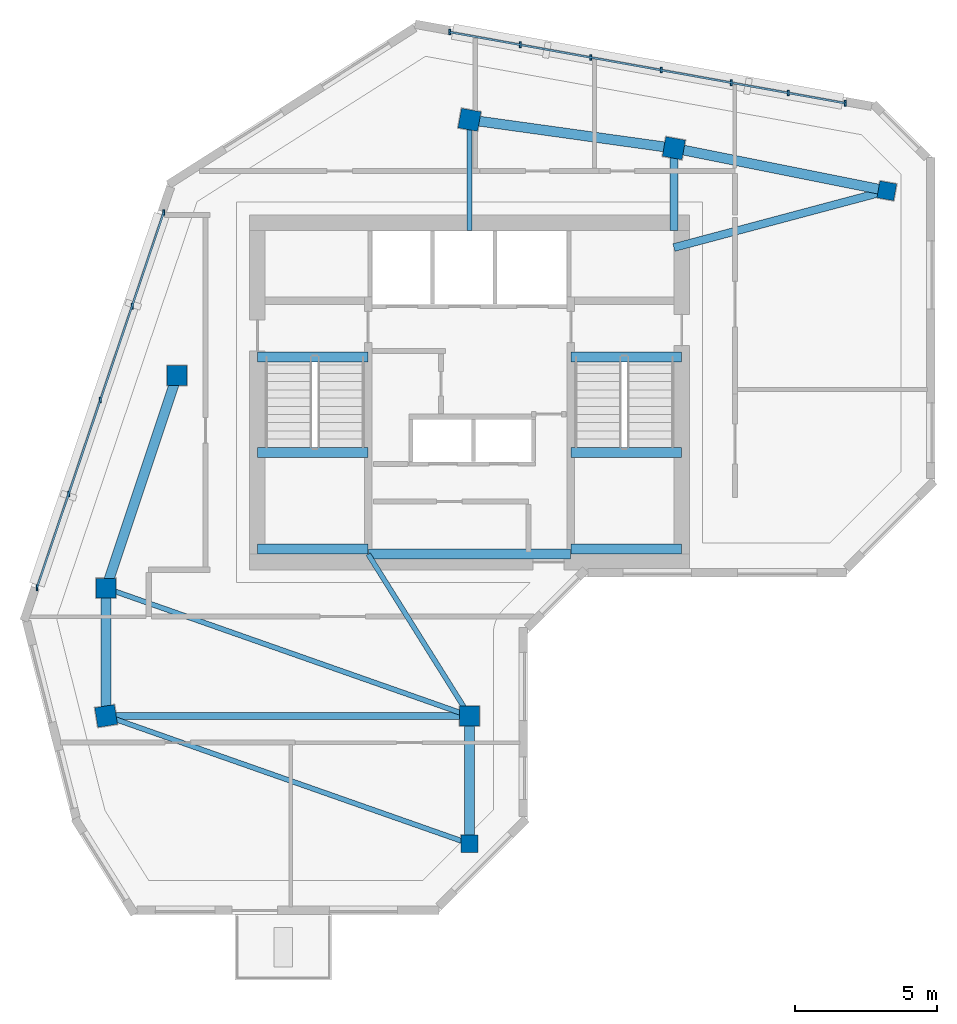
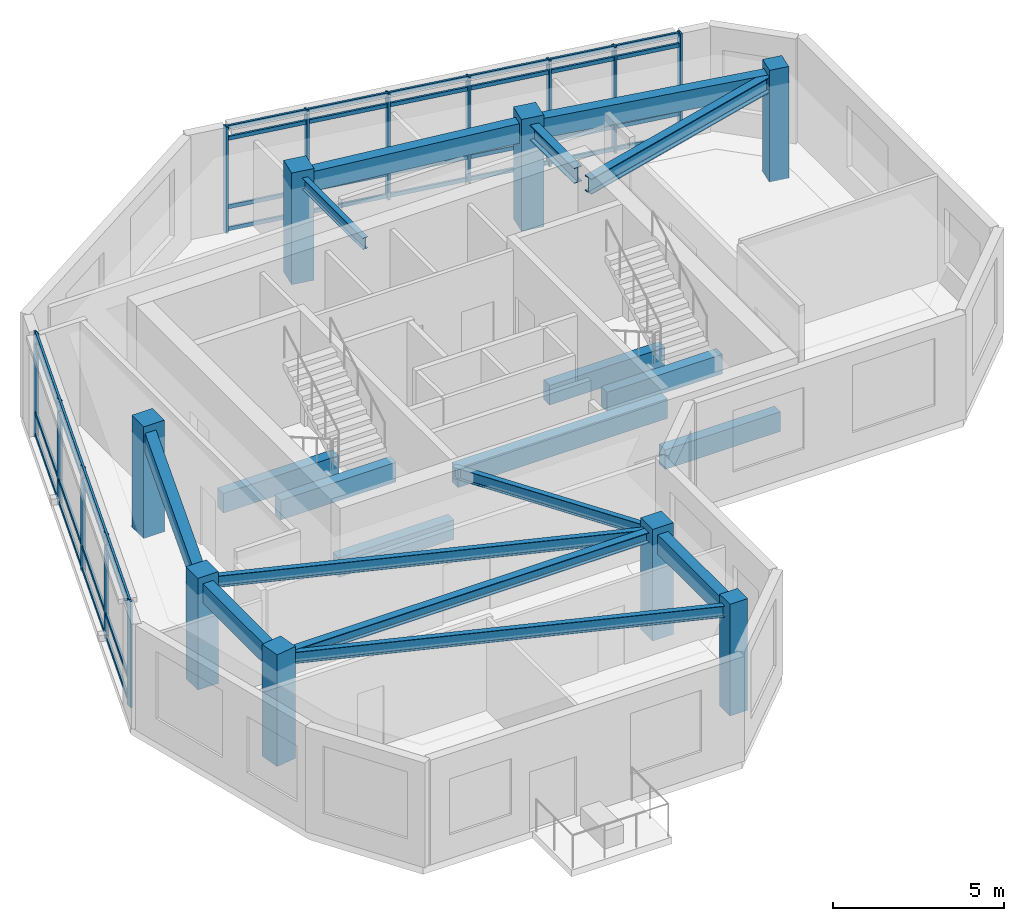
# One storey, part 1 of 8: 20 members, 19 beams, 8 columns, 2 elements without a shape of their own.
"""IFC4 building model written with IfcOpenShell, lengths in metres."""

from ifc_helpers import new_model, si_unit, direction, frame, origin, origin_2d, place, context, subcontext, project, spatial, rectangle, i_section, extrude, source, transform, mapped, material, material_profile, profile_set, type_object, element, aggregate, save


model = new_model("IFC4")

# Units and contexts
model_context = context("Model", 3, precision=1e-05, world=origin(), true_north=direction((0.0, 1.0)))
body_context = subcontext(model_context, "Body", "Model", "MODEL_VIEW")
ifc_project = project(units=[si_unit("LENGTHUNIT", "METRE"), si_unit("AREAUNIT", "SQUARE_METRE"), si_unit("VOLUMEUNIT", "CUBIC_METRE"), si_unit("PLANEANGLEUNIT", "RADIAN"), si_unit("MASSUNIT", "GRAM", prefix="KILO")], contexts=[model_context])

# Site, building, storey
site_placement = place(None, origin())
site = spatial("IfcSite", under=ifc_project, at=site_placement, CompositionType="ELEMENT")
building_placement = place(site_placement, origin())
building = spatial("IfcBuilding", under=site, at=building_placement, Name="Calvemar Wedge Station Tower", CompositionType="ELEMENT")
storey_placement = place(building_placement, frame((0.0, 0.0, 292.5)))
storey = spatial("IfcBuildingStorey", under=building, at=storey_placement, Name="L75", CompositionType="ELEMENT", Elevation=292.5)

# Columns
ifc_material_1 = material(Name="Concrete C50", Category="concrete")
ifc_material_profile_1 = material_profile(ifc_material_1, rectangle(XDim=0.699951171875, YDim=0.699951171875, at=origin_2d()), Name="RC700x700")
ifc_profile_set_1 = profile_set([ifc_material_profile_1], Name="Concrete C50")
column_type_1 = type_object("IfcColumnType", Name="COL-C7-700", PredefinedType="COLUMN", material=ifc_profile_set_1)
shared_shape_1 = source(origin(), body_context, "Body", "SweptSolid", [
    extrude(rectangle(XDim=0.699951171875, YDim=0.699951171875, at=origin_2d()), origin(), (0.0, 0.0, 1.0), 4.0),
])
for number, where, z_axis, x_axis, name in (
    (1, (11.0, 33.0, 0.0), (0.0, 0.0, 1.0), (1.0, 0.0, 0.0), "Storey L75 Column T-NW1"),
    (2, (13.5, 40.5, 0.0), (0.0, 0.0, 1.0), (1.0, 0.0, 0.0), "Storey L75 Column T-NW2"),
    (3, (23.800048828125, 49.5, 0.0), (0.0, 0.0, 1.0), (0.984195607969, -0.17708474032, 0.0), "Storey L75 Column T-N1"),
    (4, (31.0, 48.5, 0.0), (0.0, 0.0, 1.0), (0.984195607969, -0.17708474032, 0.0), "Storey L75 Column T-N2"),
    (5, (11.0, 28.5, 0.0), (0.0, 0.0, 1.0), (0.158158067254, -0.987413806751, 0.0), "Storey L75 Column T-SW1"),
    (6, (23.800048828125, 28.5, 0.0), (0.0, 0.0, 1.0), (1.0, 0.0, 0.0), "Storey L75 Column T-SE1"),
):
    element("IfcColumn", number, at=place(storey_placement, frame(where, z_axis=z_axis, x_axis=x_axis)), inside=storey, type_object=column_type_1, Name=name, PredefinedType="COLUMN", context=body_context, shape_type="MappedRepresentation", body=[
        mapped(shared_shape_1, transform((0.0, 0.0, 0.0), scale=1.0)),
    ])
ifc_material_profile_2 = material_profile(ifc_material_1, rectangle(XDim=0.60009765625, YDim=0.60009765625, at=origin_2d()), Name="RC600x600")
ifc_profile_set_2 = profile_set([ifc_material_profile_2], Name="Concrete C50")
column_type_2 = type_object("IfcColumnType", Name="COL-C8-600", PredefinedType="COLUMN", material=ifc_profile_set_2)
shared_shape_2 = source(origin(), body_context, "Body", "SweptSolid", [
    extrude(rectangle(XDim=0.60009765625, YDim=0.60009765625, at=origin_2d()), origin(), (0.0, 0.0, 1.0), 4.0),
])
for number, where, z_axis, x_axis, name in (
    (7, (38.5, 47.0, 0.0), (0.0, 0.0, 1.0), (0.984195607969, -0.17708474032, 0.0), "Storey L75 Column T-NU3"),
    (8, (23.800048828125, 24.0, 0.0), (0.0, 0.0, 1.0), (1.0, 0.0, 0.0), "Storey L75 Column T-SE2"),
):
    element("IfcColumn", number, at=place(storey_placement, frame(where, z_axis=z_axis, x_axis=x_axis)), inside=storey, type_object=column_type_2, Name=name, PredefinedType="COLUMN", context=body_context, shape_type="MappedRepresentation", body=[
        mapped(shared_shape_2, transform((0.0, 0.0, 0.0), scale=1.0)),
    ])

# Beams
ifc_material_2 = material(Name="Structural steel ASTM A572 Grade 50", Category="steel")
ifc_material_profile_3 = material_profile(ifc_material_2, i_section(OverallWidth=0.177978515625, OverallDepth=0.406982421875, WebThickness=0.0078125, FlangeThickness=0.0126953125, FilletRadius=0.010009765625, at=origin_2d()), Name="W410x60")
ifc_profile_set_3 = profile_set([ifc_material_profile_3], Name="Structural steel ASTM A572 Grade 50")
beam_type_1 = type_object("IfcBeamType", Name="BM-J3-W410", PredefinedType="JOIST", material=ifc_profile_set_3)
shared_shape_3 = source(origin(), body_context, "Body", "SweptSolid", [
    extrude(i_section(OverallWidth=0.177978515625, OverallDepth=0.406982421875, WebThickness=0.0078125, FlangeThickness=0.0126953125, FilletRadius=0.010009765625, at=origin_2d()), origin(), (0.0, 0.0, 1.0), 13.568115234375),
])
for number, where, z_axis, x_axis, name in (
    (9, (11.0, 33.0, 3.54638671875), (0.943398221169, -0.331662171939, 0.0), (0.331662171939, 0.943398221169, 0.0), "Storey L75 Floor Beam T-NW1-T-SE1"),
    (10, (11.0, 28.5, 3.54638671875), (0.943398221169, -0.331662171939, 0.0), (0.331662171939, 0.943398221169, 0.0), "Storey L75 Floor Beam T-SW1-T-SE2"),
):
    element("IfcBeam", number, at=place(storey_placement, frame(where, z_axis=z_axis, x_axis=x_axis)), inside=storey, type_object=beam_type_1, Name=name, PredefinedType="JOIST", context=body_context, shape_type="MappedRepresentation", body=[
        mapped(shared_shape_3, transform((0.0, 0.0, 0.0), scale=1.0)),
    ])
ifc_material_profile_4 = material_profile(ifc_material_2, i_section(OverallWidth=0.279052734375, OverallDepth=0.553955078125, WebThickness=0.017578125, FlangeThickness=0.029541015625, FilletRadius=0.014892578125, at=origin_2d()), Name="W530x196")
ifc_profile_set_4 = profile_set([ifc_material_profile_4], Name="Structural steel ASTM A572 Grade 50")
beam_type_2 = type_object("IfcBeamType", Name="BM-SB3-W530H", PredefinedType="BEAM", material=ifc_profile_set_4)
shared_shape_4 = source(origin(), body_context, "Body", "SweptSolid", [
    extrude(i_section(OverallWidth=0.279052734375, OverallDepth=0.553955078125, WebThickness=0.017578125, FlangeThickness=0.029541015625, FilletRadius=0.014892578125, at=origin_2d()), origin(), (0.0, 0.0, 1.0), 7.76220703125),
])
beam_1_placement = place(storey_placement, frame((31.0, 45.0, 3.472900390625), z_axis=(0.966234939601, 0.25766265056, 0.0), x_axis=(-0.25766265056, 0.966234939601, 0.0)))
element("IfcBeam", 11, at=beam_1_placement, inside=storey, type_object=beam_type_2, Name="Storey L75 Core-to-Column Joist CJ-E2", PredefinedType="BEAM", context=body_context, shape_type="MappedRepresentation", body=[
    mapped(shared_shape_4, transform((0.0, 0.0, 0.0), scale=1.0)),
])
shared_shape_5 = source(origin(), body_context, "Body", "SweptSolid", [
    extrude(i_section(OverallWidth=0.177978515625, OverallDepth=0.406982421875, WebThickness=0.0078125, FlangeThickness=0.0126953125, FilletRadius=0.010009765625, at=origin_2d()), origin(), (0.0, 0.0, 1.0), 3.89990234375),
])
beam_2_placement = place(storey_placement, frame((23.800048828125, 45.60009765625, 3.54638671875), z_axis=(0.0, 1.0, 0.0), x_axis=(-1.0, 0.0, 0.0)))
element("IfcBeam", 12, at=beam_2_placement, inside=storey, type_object=beam_type_1, Name="Storey L75 Core-to-Column Joist CJ-N1", PredefinedType="JOIST", context=body_context, shape_type="MappedRepresentation", body=[
    mapped(shared_shape_5, transform((0.0, 0.0, 0.0), scale=1.0)),
])
shared_shape_6 = source(origin(), body_context, "Body", "SweptSolid", [
    extrude(i_section(OverallWidth=0.279052734375, OverallDepth=0.553955078125, WebThickness=0.017578125, FlangeThickness=0.029541015625, FilletRadius=0.014892578125, at=origin_2d()), origin(), (0.0, 0.0, 1.0), 2.89990234375),
])
beam_3_placement = place(storey_placement, frame((31.0, 45.60009765625, 3.472900390625), z_axis=(0.0, 1.0, 0.0), x_axis=(-1.0, 0.0, 0.0)))
element("IfcBeam", 13, at=beam_3_placement, inside=storey, type_object=beam_type_2, Name="Storey L75 Core-to-Column Joist CJ-N2", PredefinedType="BEAM", context=body_context, shape_type="MappedRepresentation", body=[
    mapped(shared_shape_6, transform((0.0, 0.0, 0.0), scale=1.0)),
])
shared_shape_7 = source(origin(), body_context, "Body", "SweptSolid", [
    extrude(i_section(OverallWidth=0.177978515625, OverallDepth=0.406982421875, WebThickness=0.0078125, FlangeThickness=0.0126953125, FilletRadius=0.010009765625, at=origin_2d()), origin(), (0.0, 0.0, 1.0), 6.7255859375),
])
beam_4_placement = place(storey_placement, frame((20.22998046875, 34.199951171875, 3.54638671875), z_axis=(0.530811158438, -0.847490126242, 0.0), x_axis=(0.847490126242, 0.530811158438, 0.0)))
element("IfcBeam", 14, at=beam_4_placement, inside=storey, type_object=beam_type_1, Name="Storey L75 Core-to-Column Joist CJ-S2", PredefinedType="JOIST", context=body_context, shape_type="MappedRepresentation", body=[
    mapped(shared_shape_7, transform((0.0, 0.0, 0.0), scale=1.0)),
])
ifc_material_3 = material(Name="Concrete C70", Category="concrete")
ifc_material_profile_5 = material_profile(ifc_material_3, rectangle(XDim=0.35009765625, YDim=0.699951171875, at=origin_2d()), Name="RC350x700")
ifc_profile_set_5 = profile_set([ifc_material_profile_5], Name="Concrete C70")
beam_type_3 = type_object("IfcBeamType", Name="BM-LN1-700", PredefinedType="LINTEL", material=ifc_profile_set_5)
shared_shape_8 = source(origin(), body_context, "Body", "SweptSolid", [
    extrude(rectangle(XDim=0.35009765625, YDim=0.699951171875, at=origin_2d()), origin(), (0.0, 0.0, 1.0), 7.10009765625),
])
beam_5_placement = place(storey_placement, frame((20.25, 34.199951171875, 3.39990234375), z_axis=(1.0, 0.0, 0.0), x_axis=(0.0, 1.0, 0.0)))
element("IfcBeam", 15, at=beam_5_placement, inside=storey, type_object=beam_type_3, Name="Storey L75 Core Coupling Lintel South", PredefinedType="LINTEL", context=body_context, shape_type="MappedRepresentation", body=[
    mapped(shared_shape_8, transform((0.0, 0.0, 0.0), scale=1.0)),
])
ifc_material_profile_6 = material_profile(ifc_material_1, rectangle(XDim=0.35009765625, YDim=0.699951171875, at=origin_2d()), Name="RC350x700")
ifc_profile_set_6 = profile_set([ifc_material_profile_6], Name="Concrete C50")
beam_type_4 = type_object("IfcBeamType", Name="BM-SP2-700", PredefinedType="SPANDREL", material=ifc_profile_set_6)
shared_shape_9 = source(origin(), body_context, "Body", "SweptSolid", [
    extrude(rectangle(XDim=0.35009765625, YDim=0.699951171875, at=origin_2d()), origin(), (0.0, 0.0, 1.0), 7.90576171875),
])
beam_6_placement = place(storey_placement, frame((11.0, 33.0, 3.39990234375), z_axis=(0.316227766017, 0.948683298051, 0.0), x_axis=(-0.948683298051, 0.316227766017, 0.0)))
element("IfcBeam", 16, at=beam_6_placement, inside=storey, type_object=beam_type_4, Name="Storey L75 Spandrel T-NW1-T-NW2", PredefinedType="SPANDREL", context=body_context, shape_type="MappedRepresentation", body=[
    mapped(shared_shape_9, transform((0.0, 0.0, 0.0), scale=1.0)),
])
shared_shape_10 = source(origin(), body_context, "Body", "SweptSolid", [
    extrude(rectangle(XDim=0.35009765625, YDim=0.699951171875, at=origin_2d()), origin(), (0.0, 0.0, 1.0), 7.26904296875),
])
beam_7_placement = place(storey_placement, frame((23.800048828125, 49.5, 3.39990234375), z_axis=(0.990492146053, -0.13756928657, 0.0), x_axis=(0.13756928657, 0.990492146053, 0.0)))
element("IfcBeam", 17, at=beam_7_placement, inside=storey, type_object=beam_type_4, Name="Storey L75 Spandrel T-N1-T-N2", PredefinedType="SPANDREL", context=body_context, shape_type="MappedRepresentation", body=[
    mapped(shared_shape_10, transform((0.0, 0.0, 0.0), scale=1.0)),
])
shared_shape_11 = source(origin(), body_context, "Body", "SweptSolid", [
    extrude(rectangle(XDim=0.35009765625, YDim=0.699951171875, at=origin_2d()), origin(), (0.0, 0.0, 1.0), 7.6484375),
])
beam_8_placement = place(storey_placement, frame((31.0, 48.5, 3.39990234375), z_axis=(0.980580675691, -0.196116135138, 0.0), x_axis=(0.196116135138, 0.980580675691, 0.0)))
element("IfcBeam", 18, at=beam_8_placement, inside=storey, type_object=beam_type_4, Name="Storey L75 Spandrel T-N2-T-NU3", PredefinedType="SPANDREL", context=body_context, shape_type="MappedRepresentation", body=[
    mapped(shared_shape_11, transform((0.0, 0.0, 0.0), scale=1.0)),
])
shared_shape_12 = source(origin(), body_context, "Body", "SweptSolid", [
    extrude(rectangle(XDim=0.35009765625, YDim=0.699951171875, at=origin_2d()), origin(), (0.0, 0.0, 1.0), 4.5),
])
for number, where, z_axis, x_axis, name in (
    (19, (11.0, 33.0, 3.39990234375), (0.0, -1.0, 0.0), (1.0, 0.0, 0.0), "Storey L75 Spandrel T-NW1-T-SW1"),
    (20, (23.800048828125, 28.5, 3.39990234375), (0.0, -1.0, 0.0), (1.0, 0.0, 0.0), "Storey L75 Spandrel T-SE1-T-SE2"),
):
    element("IfcBeam", number, at=place(storey_placement, frame(where, z_axis=z_axis, x_axis=x_axis)), inside=storey, type_object=beam_type_4, Name=name, PredefinedType="SPANDREL", context=body_context, shape_type="MappedRepresentation", body=[
        mapped(shared_shape_12, transform((0.0, 0.0, 0.0), scale=1.0)),
    ])
shared_shape_13 = source(origin(), body_context, "Body", "SweptSolid", [
    extrude(rectangle(XDim=0.35009765625, YDim=0.699951171875, at=origin_2d()), origin(), (0.0, 0.0, 1.0), 3.905029296875),
])
for number, where, z_axis, x_axis, name in (
    (21, (16.324951171875, 41.14990234375, -0.35009765625), (1.0, 0.0, 0.0), (0.0, 1.0, 0.0), "Storey L75 Stair ST-C1 Landing Trimmer Beam"),
    (22, (16.324951171875, 34.3798828125, 1.449951171875), (1.0, 0.0, 0.0), (0.0, 1.0, 0.0), "Storey L75 Stair ST-C1 Half-Landing Beam 1A"),
    (23, (16.324951171875, 37.780029296875, 1.449951171875), (1.0, 0.0, 0.0), (0.0, 1.0, 0.0), "Storey L75 Stair ST-C1 Half-Landing Beam 1B"),
):
    element("IfcBeam", number, at=place(storey_placement, frame(where, z_axis=z_axis, x_axis=x_axis)), inside=storey, type_object=beam_type_3, Name=name, PredefinedType="LINTEL", context=body_context, shape_type="MappedRepresentation", body=[
        mapped(shared_shape_13, transform((0.0, 0.0, 0.0), scale=1.0)),
    ])
shared_shape_14 = source(origin(), body_context, "Body", "SweptSolid", [
    extrude(rectangle(XDim=0.35009765625, YDim=0.699951171875, at=origin_2d()), origin(), (0.0, 0.0, 1.0), 3.90478515625),
])
for number, where, z_axis, x_axis, name in (
    (24, (27.3701171875, 41.14990234375, -0.35009765625), (1.0, 0.0, 0.0), (0.0, 1.0, 0.0), "Storey L75 Stair ST-C2 Landing Trimmer Beam"),
    (25, (27.3701171875, 34.3798828125, 1.449951171875), (1.0, 0.0, 0.0), (0.0, 1.0, 0.0), "Storey L75 Stair ST-C2 Half-Landing Beam 1A"),
    (26, (27.3701171875, 37.780029296875, 1.449951171875), (1.0, 0.0, 0.0), (0.0, 1.0, 0.0), "Storey L75 Stair ST-C2 Half-Landing Beam 1B"),
):
    element("IfcBeam", number, at=place(storey_placement, frame(where, z_axis=z_axis, x_axis=x_axis)), inside=storey, type_object=beam_type_3, Name=name, PredefinedType="LINTEL", context=body_context, shape_type="MappedRepresentation", body=[
        mapped(shared_shape_14, transform((0.0, 0.0, 0.0), scale=1.0)),
    ])
ifc_material_profile_7 = material_profile(ifc_material_2, i_section(OverallWidth=0.257080078125, OverallDepth=0.363037109375, WebThickness=0.012939453125, FlangeThickness=0.021728515625, FilletRadius=0.014892578125, at=origin_2d()), Name="W360x122")
ifc_profile_set_7 = profile_set([ifc_material_profile_7], Name="Structural steel ASTM A572 Grade 50")
beam_type_5 = type_object("IfcBeamType", Name="BM-J4-W360", PredefinedType="JOIST", material=ifc_profile_set_7)
shared_shape_15 = source(origin(), body_context, "Body", "SweptSolid", [
    extrude(i_section(OverallWidth=0.257080078125, OverallDepth=0.363037109375, WebThickness=0.012939453125, FlangeThickness=0.021728515625, FilletRadius=0.014892578125, at=origin_2d()), origin(), (0.0, 0.0, 1.0), 12.800048828125),
])
beam_9_placement = place(storey_placement, frame((11.0, 28.5, 3.568603515625), z_axis=(1.0, 0.0, 0.0), x_axis=(0.0, 1.0, 0.0)))
element("IfcBeam", 27, at=beam_9_placement, inside=storey, type_object=beam_type_5, Name="Storey L75 Floor Beam T-SW1-T-SE1", PredefinedType="JOIST", context=body_context, shape_type="MappedRepresentation", body=[
    mapped(shared_shape_15, transform((0.0, 0.0, 0.0), scale=1.0)),
])

# Curtain wall, members
ifc_material_4 = material(Name="Anodised aluminium 6063-T6", Category="aluminium")
curtain_wall_type = type_object("IfcCurtainWallType", Name="CW4", PredefinedType="NOTDEFINED", material=ifc_material_4)
curtain_wall_1_placement = place(storey_placement, origin())
curtain_wall_1 = element("IfcCurtainWall", 28, at=curtain_wall_1_placement, inside=storey, type_object=curtain_wall_type, Name="Storey L75 CW4 Recessed Unitised Curtain Wall 10", PredefinedType="NOTDEFINED")
ifc_material_profile_8 = material_profile(ifc_material_4, rectangle(XDim=0.070068359375, YDim=0.139892578125, at=origin_2d()), Name="AL-TRN-70x140")
ifc_profile_set_8 = profile_set([ifc_material_profile_8], Name="Anodised aluminium 6063-T6")
member_type_1 = type_object("IfcMemberType", Name="CW4-TRN", PredefinedType="USERDEFINED", material=ifc_profile_set_8)
shared_shape_16 = source(origin(), body_context, "Body", "SweptSolid", [
    extrude(rectangle(XDim=0.070068359375, YDim=0.139892578125, at=origin_2d()), origin(), (0.0, 0.0, 1.0), 14.154296875),
])
member_1_placement = place(storey_placement, frame((37.033935546875, 50.084228515625, 0.06005859375), z_axis=(-0.984225338595, 0.17691942479, 0.0), x_axis=(-0.17691942479, -0.984225338595, 0.0)))
member_1 = element("IfcMember", 29, at=member_1_placement, type_object=member_type_1, Name="CW4 transom 1", ObjectType="TRANSOM", PredefinedType="USERDEFINED", context=body_context, shape_type="MappedRepresentation", body=[
    mapped(shared_shape_16, transform((0.0, 0.0, 0.0), scale=1.0)),
])
member_2_placement = place(storey_placement, frame((37.033935546875, 50.084228515625, 0.85009765625), z_axis=(-0.984225338595, 0.17691942479, 0.0), x_axis=(-0.17691942479, -0.984225338595, 0.0)))
member_2 = element("IfcMember", 30, at=member_2_placement, type_object=member_type_1, Name="CW4 transom 2", ObjectType="TRANSOM", PredefinedType="USERDEFINED", context=body_context, shape_type="MappedRepresentation", body=[
    mapped(shared_shape_16, transform((0.0, 0.0, 0.0), scale=1.0)),
])
member_3_placement = place(storey_placement, frame((37.033935546875, 50.084228515625, 3.300048828125), z_axis=(-0.984225338595, 0.17691942479, 0.0), x_axis=(-0.17691942479, -0.984225338595, 0.0)))
member_3 = element("IfcMember", 31, at=member_3_placement, type_object=member_type_1, Name="CW4 transom 3", ObjectType="TRANSOM", PredefinedType="USERDEFINED", context=body_context, shape_type="MappedRepresentation", body=[
    mapped(shared_shape_16, transform((0.0, 0.0, 0.0), scale=1.0)),
])
member_4_placement = place(storey_placement, frame((37.033935546875, 50.084228515625, 3.68994140625), z_axis=(-0.984225338595, 0.17691942479, 0.0), x_axis=(-0.17691942479, -0.984225338595, 0.0)))
member_4 = element("IfcMember", 32, at=member_4_placement, type_object=member_type_1, Name="CW4 transom 4", ObjectType="TRANSOM", PredefinedType="USERDEFINED", context=body_context, shape_type="MappedRepresentation", body=[
    mapped(shared_shape_16, transform((0.0, 0.0, 0.0), scale=1.0)),
])

curtain_wall_2_placement = place(storey_placement, origin())
curtain_wall_2 = element("IfcCurtainWall", 33, at=curtain_wall_2_placement, inside=storey, type_object=curtain_wall_type, Name="Storey L75 CW4 Recessed Unitised Curtain Wall 12", PredefinedType="NOTDEFINED")
shared_shape_17 = source(origin(), body_context, "Body", "SweptSolid", [
    extrude(rectangle(XDim=0.070068359375, YDim=0.139892578125, at=origin_2d()), origin(), (0.0, 0.0, 1.0), 13.95703125),
])
member_5_placement = place(storey_placement, frame((13.030029296875, 46.240478515625, 0.06005859375), z_axis=(-0.319914475782, -0.947446424968, 0.0), x_axis=(0.947446424968, -0.319914475782, 0.0)))
member_5 = element("IfcMember", 34, at=member_5_placement, type_object=member_type_1, Name="CW4 transom 1", ObjectType="TRANSOM", PredefinedType="USERDEFINED", context=body_context, shape_type="MappedRepresentation", body=[
    mapped(shared_shape_17, transform((0.0, 0.0, 0.0), scale=1.0)),
])
member_6_placement = place(storey_placement, frame((13.030029296875, 46.240478515625, 0.85009765625), z_axis=(-0.319914475782, -0.947446424968, 0.0), x_axis=(0.947446424968, -0.319914475782, 0.0)))
member_6 = element("IfcMember", 35, at=member_6_placement, type_object=member_type_1, Name="CW4 transom 2", ObjectType="TRANSOM", PredefinedType="USERDEFINED", context=body_context, shape_type="MappedRepresentation", body=[
    mapped(shared_shape_17, transform((0.0, 0.0, 0.0), scale=1.0)),
])
member_7_placement = place(storey_placement, frame((13.030029296875, 46.240478515625, 3.300048828125), z_axis=(-0.319914475782, -0.947446424968, 0.0), x_axis=(0.947446424968, -0.319914475782, 0.0)))
member_7 = element("IfcMember", 36, at=member_7_placement, type_object=member_type_1, Name="CW4 transom 3", ObjectType="TRANSOM", PredefinedType="USERDEFINED", context=body_context, shape_type="MappedRepresentation", body=[
    mapped(shared_shape_17, transform((0.0, 0.0, 0.0), scale=1.0)),
])
member_8_placement = place(storey_placement, frame((13.030029296875, 46.240478515625, 3.68994140625), z_axis=(-0.319914475782, -0.947446424968, 0.0), x_axis=(0.947446424968, -0.319914475782, 0.0)))
member_8 = element("IfcMember", 37, at=member_8_placement, type_object=member_type_1, Name="CW4 transom 4", ObjectType="TRANSOM", PredefinedType="USERDEFINED", context=body_context, shape_type="MappedRepresentation", body=[
    mapped(shared_shape_17, transform((0.0, 0.0, 0.0), scale=1.0)),
])

# Member
ifc_material_profile_9 = material_profile(ifc_material_4, rectangle(XDim=0.070068359375, YDim=0.199951171875, at=origin_2d()), Name="AL-MUL-70x200")
ifc_profile_set_9 = profile_set([ifc_material_profile_9], Name="Anodised aluminium 6063-T6")
member_type_2 = type_object("IfcMemberType", Name="CW4-MUL", PredefinedType="MULLION", material=ifc_profile_set_9)
shared_shape_18 = source(origin(), body_context, "Body", "SweptSolid", [
    extrude(rectangle(XDim=0.070068359375, YDim=0.199951171875, at=origin_2d()), origin(), (0.0, 0.0, 1.0), 3.800048828125),
])
member_9_placement = place(storey_placement, frame((37.033935546875, 50.084228515625, -0.050048828125), z_axis=(0.0, 0.0, 1.0), x_axis=(1.0, 0.0, 0.0)))
member_9 = element("IfcMember", 38, at=member_9_placement, type_object=member_type_2, Name="CW4 mullion 1", PredefinedType="MULLION", context=body_context, shape_type="MappedRepresentation", body=[
    mapped(shared_shape_18, transform((0.0, 0.0, 0.0), scale=1.0)),
])

member_10_placement = place(storey_placement, frame((35.02783203125, 50.44482421875, -0.050048828125), z_axis=(0.0, 0.0, 1.0), x_axis=(1.0, 0.0, 0.0)))
member_10 = element("IfcMember", 39, at=member_10_placement, type_object=member_type_2, Name="CW4 mullion 2", PredefinedType="MULLION", context=body_context, shape_type="MappedRepresentation", body=[
    mapped(shared_shape_18, transform((0.0, 0.0, 0.0), scale=1.0)),
])

member_11_placement = place(storey_placement, frame((33.02197265625, 50.805419921875, -0.050048828125), z_axis=(0.0, 0.0, 1.0), x_axis=(1.0, 0.0, 0.0)))
member_11 = element("IfcMember", 40, at=member_11_placement, type_object=member_type_2, Name="CW4 mullion 3", PredefinedType="MULLION", context=body_context, shape_type="MappedRepresentation", body=[
    mapped(shared_shape_18, transform((0.0, 0.0, 0.0), scale=1.0)),
])

member_12_placement = place(storey_placement, frame((30.546875, 51.250244140625, -0.050048828125), z_axis=(0.0, 0.0, 1.0), x_axis=(1.0, 0.0, 0.0)))
member_12 = element("IfcMember", 41, at=member_12_placement, type_object=member_type_2, Name="CW4 mullion 4", PredefinedType="MULLION", context=body_context, shape_type="MappedRepresentation", body=[
    mapped(shared_shape_18, transform((0.0, 0.0, 0.0), scale=1.0)),
])

member_13_placement = place(storey_placement, frame((28.072021484375, 51.695068359375, -0.050048828125), z_axis=(0.0, 0.0, 1.0), x_axis=(1.0, 0.0, 0.0)))
member_13 = element("IfcMember", 42, at=member_13_placement, type_object=member_type_2, Name="CW4 mullion 5", PredefinedType="MULLION", context=body_context, shape_type="MappedRepresentation", body=[
    mapped(shared_shape_18, transform((0.0, 0.0, 0.0), scale=1.0)),
])

member_14_placement = place(storey_placement, frame((25.587646484375, 52.1416015625, -0.050048828125), z_axis=(0.0, 0.0, 1.0), x_axis=(1.0, 0.0, 0.0)))
member_14 = element("IfcMember", 43, at=member_14_placement, type_object=member_type_2, Name="CW4 mullion 6", PredefinedType="MULLION", context=body_context, shape_type="MappedRepresentation", body=[
    mapped(shared_shape_18, transform((0.0, 0.0, 0.0), scale=1.0)),
])

member_15_placement = place(storey_placement, frame((23.10302734375, 52.58837890625, -0.050048828125), z_axis=(0.0, 0.0, 1.0), x_axis=(1.0, 0.0, 0.0)))
member_15 = element("IfcMember", 44, at=member_15_placement, type_object=member_type_2, Name="CW4 mullion 7", PredefinedType="MULLION", context=body_context, shape_type="MappedRepresentation", body=[
    mapped(shared_shape_18, transform((0.0, 0.0, 0.0), scale=1.0)),
])

aggregate(curtain_wall_1, [member_9, member_10, member_11, member_12, member_13, member_14, member_15, member_1, member_2, member_3, member_4])

member_16_placement = place(storey_placement, frame((13.030029296875, 46.240478515625, -0.050048828125), z_axis=(0.0, 0.0, 1.0), x_axis=(1.0, 0.0, 0.0)))
member_16 = element("IfcMember", 45, at=member_16_placement, type_object=member_type_2, Name="CW4 mullion 1", PredefinedType="MULLION", context=body_context, shape_type="MappedRepresentation", body=[
    mapped(shared_shape_18, transform((0.0, 0.0, 0.0), scale=1.0)),
])

member_17_placement = place(storey_placement, frame((11.913818359375, 42.9345703125, -0.050048828125), z_axis=(0.0, 0.0, 1.0), x_axis=(1.0, 0.0, 0.0)))
member_17 = element("IfcMember", 46, at=member_17_placement, type_object=member_type_2, Name="CW4 mullion 2", PredefinedType="MULLION", context=body_context, shape_type="MappedRepresentation", body=[
    mapped(shared_shape_18, transform((0.0, 0.0, 0.0), scale=1.0)),
])

member_18_placement = place(storey_placement, frame((10.797607421875, 39.628662109375, -0.050048828125), z_axis=(0.0, 0.0, 1.0), x_axis=(1.0, 0.0, 0.0)))
member_18 = element("IfcMember", 47, at=member_18_placement, type_object=member_type_2, Name="CW4 mullion 3", PredefinedType="MULLION", context=body_context, shape_type="MappedRepresentation", body=[
    mapped(shared_shape_18, transform((0.0, 0.0, 0.0), scale=1.0)),
])

member_19_placement = place(storey_placement, frame((9.681396484375, 36.32275390625, -0.050048828125), z_axis=(0.0, 0.0, 1.0), x_axis=(1.0, 0.0, 0.0)))
member_19 = element("IfcMember", 48, at=member_19_placement, type_object=member_type_2, Name="CW4 mullion 4", PredefinedType="MULLION", context=body_context, shape_type="MappedRepresentation", body=[
    mapped(shared_shape_18, transform((0.0, 0.0, 0.0), scale=1.0)),
])

member_20_placement = place(storey_placement, frame((8.56494140625, 33.016845703125, -0.050048828125), z_axis=(0.0, 0.0, 1.0), x_axis=(1.0, 0.0, 0.0)))
member_20 = element("IfcMember", 49, at=member_20_placement, type_object=member_type_2, Name="CW4 mullion 5", PredefinedType="MULLION", context=body_context, shape_type="MappedRepresentation", body=[
    mapped(shared_shape_18, transform((0.0, 0.0, 0.0), scale=1.0)),
])

aggregate(curtain_wall_2, [member_16, member_17, member_18, member_19, member_20, member_5, member_6, member_7, member_8])

save(model, "model.ifc")
